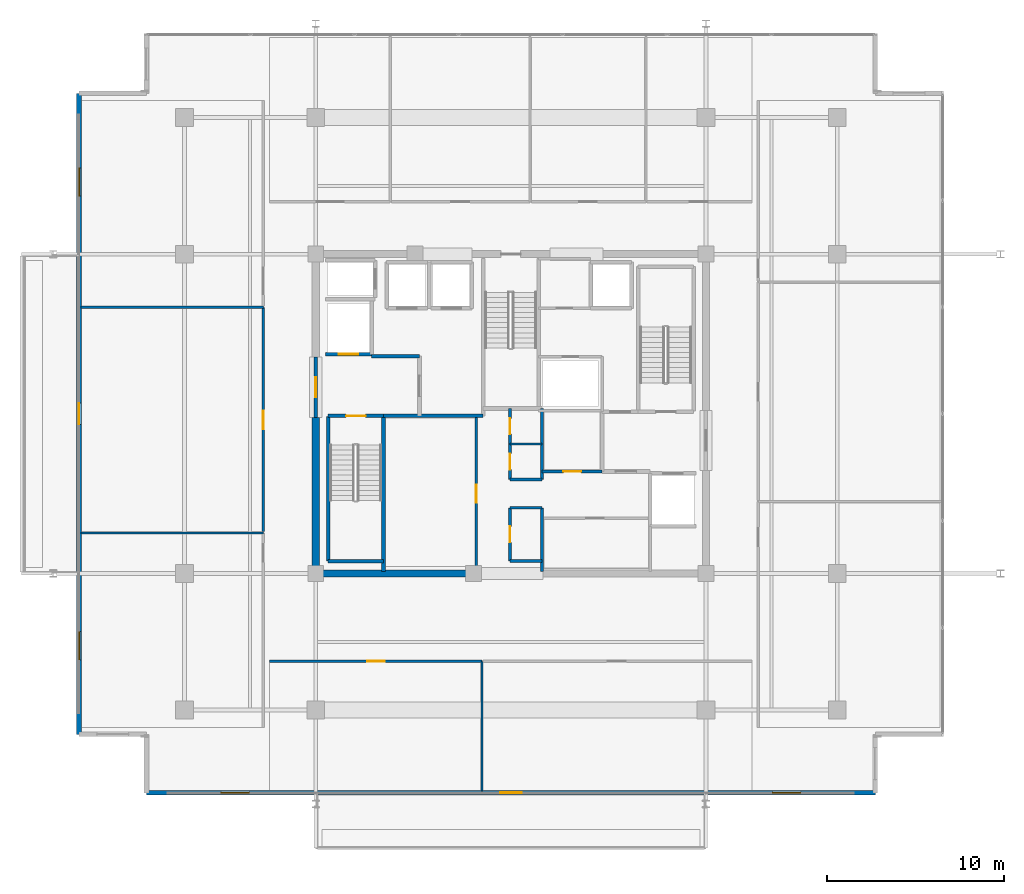
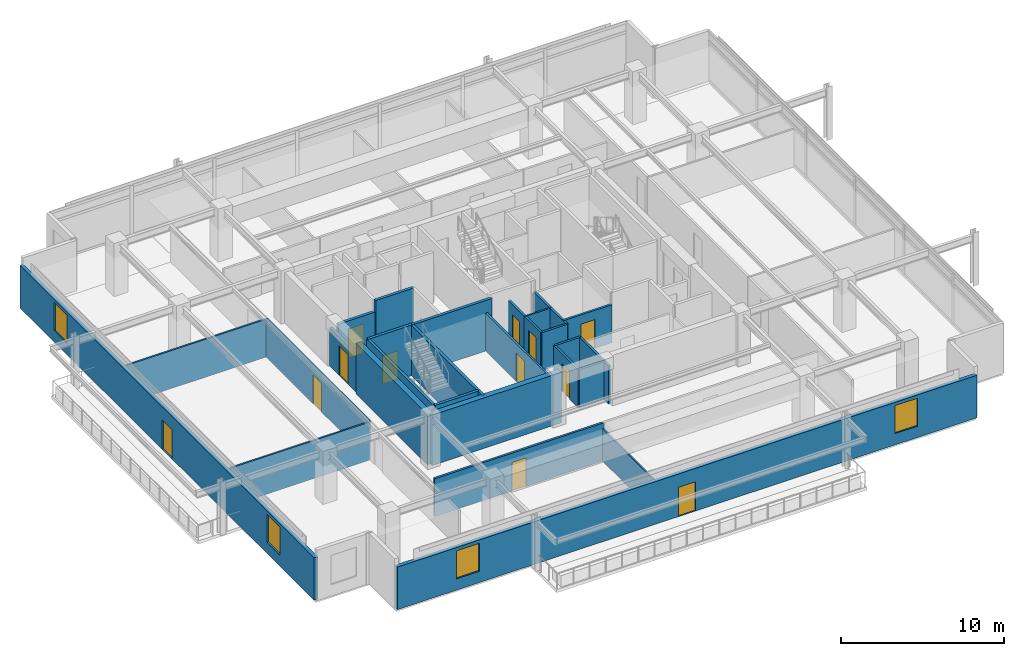
# One storey, part 14 of 21: 28 walls, 12 doors, 4 windows, 16 openings.
"""IFC4 building model written with IfcOpenShell, lengths in metres."""

from ifc_helpers import new_model, si_unit, direction, frame, frame_2d, origin, place, context, subcontext, project, spatial, rectangle, extrude, material, layer, layer_set, type_object, element, fill, save


model = new_model("IFC4")

# Units and contexts
model_context = context("Model", 3, precision=1e-05, world=origin(), true_north=direction((0.0, 1.0)))
body_context = subcontext(model_context, "Body", "Model", "MODEL_VIEW")
ifc_project = project(units=[si_unit("LENGTHUNIT", "METRE"), si_unit("AREAUNIT", "SQUARE_METRE"), si_unit("VOLUMEUNIT", "CUBIC_METRE"), si_unit("PLANEANGLEUNIT", "RADIAN"), si_unit("MASSUNIT", "GRAM", prefix="KILO")], contexts=[model_context])

# Site, building, storey
site_placement = place(None, origin())
site = spatial("IfcSite", under=ifc_project, at=site_placement, CompositionType="ELEMENT")
building_placement = place(site_placement, origin())
building = spatial("IfcBuilding", under=site, at=building_placement, Name="Kovane Verandah Tower", CompositionType="ELEMENT")
storey_placement = place(building_placement, frame((0.0, 0.0, 310.800048828125)))
storey = spatial("IfcBuildingStorey", under=building, at=storey_placement, Name="L72", CompositionType="ELEMENT", Elevation=310.800048828125)

# Walls
ifc_material_1 = material(Name="Fire-Rated Gypsum Stud Partition", Category="gypsum")
ifc_layer_1 = layer(ifc_material_1, 0.14990234375)
ifc_layer_set_1 = layer_set([ifc_layer_1], Name="Fire-Rated Gypsum Stud Partition")
wall_type_1 = type_object("IfcWallType", Name="WL-COR-150", PredefinedType="PARTITIONING", material=ifc_layer_set_1)
for number, where, z_axis, x_axis, name in (
    (1, (39.949951171875, 19.199951171875, 0.0), (0.0, 0.0, 1.0), (1.0, 0.0, 0.0), "L72 Central Core Strip South Wall"),
    (2, (39.949951171875, 22.199951171875, 0.0), (0.0, 0.0, 1.0), (1.0, 0.0, 0.0), "L72 Core Cross-Passage South Wall"),
    (3, (39.949951171875, 23.800048828125, 0.0), (0.0, 0.0, 1.0), (1.0, 0.0, 0.0), "L72 Core Cross-Passage North Wall"),
):
    element("IfcWall", number, at=place(storey_placement, frame(where, z_axis=z_axis, x_axis=x_axis)), inside=storey, type_object=wall_type_1, Name=name, PredefinedType="PARTITIONING", context=body_context, shape_type="SweptSolid", body=[
        extrude(rectangle(XDim=1.81005859375, YDim=0.14990234375, at=frame_2d((0.905029296875, 0.0))), origin(), (0.0, 0.0, 1.0), 2.849853515625),
    ])
wall_1_placement = place(storey_placement, frame((41.760009765625, 18.60009765625, 0.0), z_axis=(0.0, 0.0, 1.0), x_axis=(0.0, 1.0, 0.0)))
element("IfcWall", 4, at=wall_1_placement, inside=storey, type_object=wall_type_1, Name="L72 Central Core Strip Lower East Wall", PredefinedType="PARTITIONING", context=body_context, shape_type="SweptSolid", body=[
    extrude(rectangle(XDim=3.599853515625, YDim=0.14990234375, at=frame_2d((1.7998046875, 0.0))), origin(), (0.0, 0.0, 1.0), 2.849853515625),
])
wall_2_placement = place(storey_placement, frame((41.760009765625, 23.800048828125, 0.0), z_axis=(0.0, 0.0, 1.0), x_axis=(0.0, 1.0, 0.0)))
element("IfcWall", 5, at=wall_2_placement, inside=storey, type_object=wall_type_1, Name="L72 Central Core Strip Upper East Wall", PredefinedType="PARTITIONING", context=body_context, shape_type="SweptSolid", body=[
    extrude(rectangle(XDim=4.0, YDim=0.14990234375, at=frame_2d((2.0, 0.0))), origin(), (0.0, 0.0, 1.0), 2.849853515625),
])

# Wall, opening, door
wall_3_placement = place(storey_placement, frame((39.949951171875, 19.199951171875, 0.0), z_axis=(0.0, 0.0, 1.0), x_axis=(0.0, 1.0, 0.0)))
wall_3 = element("IfcWall", 6, at=wall_3_placement, inside=storey, type_object=wall_type_1, Name="L72 Male Toilet Partition", PredefinedType="PARTITIONING", context=body_context, shape_type="SweptSolid", body=[
    extrude(rectangle(XDim=3.0, YDim=0.14990234375, at=frame_2d((1.5, 0.0))), origin(), (0.0, 0.0, 1.0), 2.849853515625),
])
opening_1_placement = place(wall_3_placement, frame((1.050048828125, 0.0, 0.0)))
opening_1 = element("IfcOpeningElement", 7, at=opening_1_placement, cuts=wall_3, Name="Opening DR-L72-027", PredefinedType="OPENING", context=body_context, shape_type="SweptSolid", body=[
    extrude(rectangle(XDim=0.89990234375, YDim=2.10009765625, at=frame_2d((0.449951171875, 1.050048828125))), frame((0.0, 0.074951171875, 0.0), z_axis=(0.0, -1.0, 0.0), x_axis=(1.0, 0.0, 0.0)), (0.0, 0.0, 1.0), 0.14990234375),
])
ifc_material_2 = material(Name="Moisture-Resistant Laminate Washroom Door", Category="wood")
door_type_1 = type_object("IfcDoorType", Name="DR-WC-900", OperationType="SINGLE_SWING_LEFT", PredefinedType="DOOR", material=ifc_material_2)
door_1_placement = place(opening_1_placement, origin())
door_1 = element("IfcDoor", 8, at=door_1_placement, inside=storey, type_object=door_type_1, Name="L72 Male Toilet Door", OperationType="SINGLE_SWING_RIGHT", OverallHeight=2.10009765625, OverallWidth=0.89990234375, PredefinedType="DOOR", context=body_context, shape_type="SweptSolid", body=[
    extrude(rectangle(XDim=0.89990234375, YDim=2.10009765625, at=frame_2d((0.449951171875, 1.050048828125))), frame((0.0, 0.02490234375, 0.0), z_axis=(0.0, -1.0, 0.0), x_axis=(1.0, 0.0, 0.0)), (0.0, 0.0, 1.0), 0.050048828125),
])
fill(opening_1, door_1)

wall_4_placement = place(storey_placement, frame((39.949951171875, 23.800048828125, 0.0), z_axis=(0.0, 0.0, 1.0), x_axis=(0.0, 1.0, 0.0)))
wall_4 = element("IfcWall", 9, at=wall_4_placement, inside=storey, type_object=wall_type_1, Name="L72 Female Toilet Partition", PredefinedType="PARTITIONING", context=body_context, shape_type="SweptSolid", body=[
    extrude(rectangle(XDim=2.0, YDim=0.14990234375, at=frame_2d((1.0, 0.0))), origin(), (0.0, 0.0, 1.0), 2.849853515625),
])
opening_2_placement = place(wall_4_placement, frame((0.550048828125, 0.0, 0.0)))
opening_2 = element("IfcOpeningElement", 10, at=opening_2_placement, cuts=wall_4, Name="Opening DR-L72-026", PredefinedType="OPENING", context=body_context, shape_type="SweptSolid", body=[
    extrude(rectangle(XDim=0.89990234375, YDim=2.10009765625, at=frame_2d((0.449951171875, 1.050048828125))), frame((0.0, 0.074951171875, 0.0), z_axis=(0.0, -1.0, 0.0), x_axis=(1.0, 0.0, 0.0)), (0.0, 0.0, 1.0), 0.14990234375),
])
door_2_placement = place(opening_2_placement, origin())
door_2 = element("IfcDoor", 11, at=door_2_placement, inside=storey, type_object=door_type_1, Name="L72 Female Toilet Door", OperationType="SINGLE_SWING_LEFT", OverallHeight=2.10009765625, OverallWidth=0.89990234375, PredefinedType="DOOR", context=body_context, shape_type="SweptSolid", body=[
    extrude(rectangle(XDim=0.89990234375, YDim=2.10009765625, at=frame_2d((0.449951171875, 1.050048828125))), frame((0.0, 0.02490234375, 0.0), z_axis=(0.0, -1.0, 0.0), x_axis=(1.0, 0.0, 0.0)), (0.0, 0.0, 1.0), 0.050048828125),
])
fill(opening_2, door_2)

wall_5_placement = place(storey_placement, frame((39.949951171875, 25.800048828125, 0.0), z_axis=(0.0, 0.0, 1.0), x_axis=(0.0, 1.0, 0.0)))
wall_5 = element("IfcWall", 12, at=wall_5_placement, inside=storey, type_object=wall_type_1, Name="L72 Accessible Unisex Toilet Partition", PredefinedType="PARTITIONING", context=body_context, shape_type="SweptSolid", body=[
    extrude(rectangle(XDim=2.0, YDim=0.14990234375, at=frame_2d((1.0, 0.0))), origin(), (0.0, 0.0, 1.0), 2.849853515625),
])
opening_3_placement = place(wall_5_placement, frame((0.550048828125, 0.0, 0.0)))
opening_3 = element("IfcOpeningElement", 13, at=opening_3_placement, cuts=wall_5, Name="Opening DR-L72-025", PredefinedType="OPENING", context=body_context, shape_type="SweptSolid", body=[
    extrude(rectangle(XDim=0.89990234375, YDim=2.10009765625, at=frame_2d((0.449951171875, 1.050048828125))), frame((0.0, 0.074951171875, 0.0), z_axis=(0.0, -1.0, 0.0), x_axis=(1.0, 0.0, 0.0)), (0.0, 0.0, 1.0), 0.14990234375),
])
door_3_placement = place(opening_3_placement, origin())
door_3 = element("IfcDoor", 14, at=door_3_placement, inside=storey, type_object=door_type_1, Name="L72 Accessible Unisex Toilet Door", OperationType="SINGLE_SWING_RIGHT", OverallHeight=2.10009765625, OverallWidth=0.89990234375, PredefinedType="DOOR", context=body_context, shape_type="SweptSolid", body=[
    extrude(rectangle(XDim=0.89990234375, YDim=2.10009765625, at=frame_2d((0.449951171875, 1.050048828125))), frame((0.0, 0.02490234375, 0.0), z_axis=(0.0, -1.0, 0.0), x_axis=(1.0, 0.0, 0.0)), (0.0, 0.0, 1.0), 0.050048828125),
])
fill(opening_3, door_3)

wall_6_placement = place(storey_placement, frame((38.050048828125, 18.60009765625, 0.0), z_axis=(0.0, 0.0, 1.0), x_axis=(0.0, 1.0, 0.0)))
wall_6 = element("IfcWall", 15, at=wall_6_placement, inside=storey, type_object=wall_type_1, Name="L72 Tenant Wellness and Archive Suite Partition", PredefinedType="PARTITIONING", context=body_context, shape_type="SweptSolid", body=[
    extrude(rectangle(XDim=8.77978515625, YDim=0.14990234375, at=frame_2d((4.389892578125, 0.0))), origin(), (0.0, 0.0, 1.0), 2.849853515625),
])
opening_4_placement = place(wall_6_placement, frame((3.889892578125, 0.0, 0.0)))
opening_4 = element("IfcOpeningElement", 16, at=opening_4_placement, cuts=wall_6, Name="Opening DR-L72-014", PredefinedType="OPENING", context=body_context, shape_type="SweptSolid", body=[
    extrude(rectangle(XDim=1.0, YDim=2.14990234375, at=frame_2d((0.5, 1.074951171875))), frame((0.0, 0.074951171875, 0.0), z_axis=(0.0, -1.0, 0.0), x_axis=(1.0, 0.0, 0.0)), (0.0, 0.0, 1.0), 0.14990234375),
])
ifc_material_3 = material(Name="FSC Spotted-Gum Timber Fire-Rated Office Door", Category="wood")
door_type_2 = type_object("IfcDoorType", Name="DR-OFF-1000", OperationType="SINGLE_SWING_LEFT", PredefinedType="DOOR", material=ifc_material_3)
door_4_placement = place(opening_4_placement, origin())
door_4 = element("IfcDoor", 17, at=door_4_placement, inside=storey, type_object=door_type_2, Name="L72 Tenant Wellness and Archive Suite Door", OperationType="SINGLE_SWING_LEFT", OverallHeight=2.14990234375, OverallWidth=1.0, PredefinedType="DOOR", context=body_context, shape_type="SweptSolid", body=[
    extrude(rectangle(XDim=1.0, YDim=2.14990234375, at=frame_2d((0.5, 1.074951171875))), frame((0.0, 0.02490234375, 0.0), z_axis=(0.0, -1.0, 0.0), x_axis=(1.0, 0.0, 0.0)), (0.0, 0.0, 1.0), 0.050048828125),
])
fill(opening_4, door_4)

wall_7_placement = place(storey_placement, frame((41.760009765625, 24.25, 0.0), z_axis=(0.0, 0.0, 1.0), x_axis=(1.0, 0.0, 0.0)))
wall_7 = element("IfcWall", 18, at=wall_7_placement, inside=storey, type_object=wall_type_1, Name="L72 Document Archive Room Partition", PredefinedType="PARTITIONING", context=body_context, shape_type="SweptSolid", body=[
    extrude(rectangle(XDim=3.389892578125, YDim=0.14990234375, at=frame_2d((1.69482421875, 0.0))), origin(), (0.0, 0.0, 1.0), 2.849853515625),
])
opening_5_placement = place(wall_7_placement, frame((1.195068359375, 0.0, 0.0)))
opening_5 = element("IfcOpeningElement", 19, at=opening_5_placement, cuts=wall_7, Name="Opening DR-L72-016", PredefinedType="OPENING", context=body_context, shape_type="SweptSolid", body=[
    extrude(rectangle(XDim=1.0, YDim=2.14990234375, at=frame_2d((0.5, 1.074951171875))), frame((0.0, 0.074951171875, 0.0), z_axis=(0.0, -1.0, 0.0), x_axis=(1.0, 0.0, 0.0)), (0.0, 0.0, 1.0), 0.14990234375),
])
door_5_placement = place(opening_5_placement, origin())
door_5 = element("IfcDoor", 20, at=door_5_placement, inside=storey, type_object=door_type_2, Name="L72 Document Archive Room Door", OperationType="SINGLE_SWING_LEFT", OverallHeight=2.14990234375, OverallWidth=1.0, PredefinedType="DOOR", context=body_context, shape_type="SweptSolid", body=[
    extrude(rectangle(XDim=1.0, YDim=2.14990234375, at=frame_2d((0.5, 1.074951171875))), frame((0.0, 0.02490234375, 0.0), z_axis=(0.0, -1.0, 0.0), x_axis=(1.0, 0.0, 0.0)), (0.0, 0.0, 1.0), 0.050048828125),
])
fill(opening_5, door_5)

wall_8_placement = place(storey_placement, frame((26.39990234375, 13.550048828125, 0.0), z_axis=(0.0, 0.0, 1.0), x_axis=(1.0, 0.0, 0.0)))
wall_8 = element("IfcWall", 21, at=wall_8_placement, inside=storey, type_object=wall_type_1, Name="L72 Collaboration Hub S1 Corridor Partition", PredefinedType="PARTITIONING", context=body_context, shape_type="SweptSolid", body=[
    extrude(rectangle(XDim=11.968017578125, YDim=0.14990234375, at=frame_2d((5.98388671875, 0.0))), origin(), (0.0, 0.0, 1.0), 2.849853515625),
])
opening_6_placement = place(wall_8_placement, frame((5.4990234375, 0.0, 0.0)))
opening_6 = element("IfcOpeningElement", 22, at=opening_6_placement, cuts=wall_8, Name="Opening DR-L72-023", PredefinedType="OPENING", context=body_context, shape_type="SweptSolid", body=[
    extrude(rectangle(XDim=1.0, YDim=2.14990234375, at=frame_2d((0.5, 1.074951171875))), frame((0.0, 0.074951171875, 0.0), z_axis=(0.0, -1.0, 0.0), x_axis=(1.0, 0.0, 0.0)), (0.0, 0.0, 1.0), 0.14990234375),
])
door_6_placement = place(opening_6_placement, origin())
door_6 = element("IfcDoor", 23, at=door_6_placement, inside=storey, type_object=door_type_2, Name="L72 Collaboration Hub S1 Entrance Door", OperationType="SINGLE_SWING_RIGHT", OverallHeight=2.14990234375, OverallWidth=1.0, PredefinedType="DOOR", context=body_context, shape_type="SweptSolid", body=[
    extrude(rectangle(XDim=1.0, YDim=2.14990234375, at=frame_2d((0.5, 1.074951171875))), frame((0.0, 0.02490234375, 0.0), z_axis=(0.0, -1.0, 0.0), x_axis=(1.0, 0.0, 0.0)), (0.0, 0.0, 1.0), 0.050048828125),
])
fill(opening_6, door_6)

wall_9_placement = place(storey_placement, frame((26.050048828125, 20.8544921875, 0.0), z_axis=(0.0, 0.0, 1.0), x_axis=(0.0, 1.0, 0.0)))
wall_9 = element("IfcWall", 24, at=wall_9_placement, inside=storey, type_object=wall_type_1, Name="L72 Executive Office W2 Corridor Partition", PredefinedType="PARTITIONING", context=body_context, shape_type="SweptSolid", body=[
    extrude(rectangle(XDim=12.654052734375, YDim=0.14990234375, at=frame_2d((6.3271484375, 0.0))), origin(), (0.0, 0.0, 1.0), 2.849853515625),
])
opening_7_placement = place(wall_9_placement, frame((5.766845703125, 0.0, 0.0)))
opening_7 = element("IfcOpeningElement", 25, at=opening_7_placement, cuts=wall_9, Name="Opening DR-L72-029", PredefinedType="OPENING", context=body_context, shape_type="SweptSolid", body=[
    extrude(rectangle(XDim=1.050048828125, YDim=2.199951171875, at=frame_2d((0.52490234375, 1.10009765625))), frame((0.0, 0.074951171875, 0.0), z_axis=(0.0, -1.0, 0.0), x_axis=(1.0, 0.0, 0.0)), (0.0, 0.0, 1.0), 0.14990234375),
])
ifc_material_4 = material(Name="FSC Blackbutt Timber Fire-Rated Executive Door", Category="wood")
door_type_3 = type_object("IfcDoorType", Name="DR-EXEC-1050", OperationType="SINGLE_SWING_LEFT", PredefinedType="DOOR", material=ifc_material_4)
door_7_placement = place(opening_7_placement, origin())
door_7 = element("IfcDoor", 26, at=door_7_placement, inside=storey, type_object=door_type_3, Name="L72 Executive Office W2 Entrance Door", OperationType="SINGLE_SWING_LEFT", OverallHeight=2.199951171875, OverallWidth=1.050048828125, PredefinedType="DOOR", context=body_context, shape_type="SweptSolid", body=[
    extrude(rectangle(XDim=1.050048828125, YDim=2.199951171875, at=frame_2d((0.52490234375, 1.10009765625))), frame((0.0, 0.02490234375, 0.0), z_axis=(0.0, -1.0, 0.0), x_axis=(1.0, 0.0, 0.0)), (0.0, 0.0, 1.0), 0.050048828125),
])
fill(opening_7, door_7)

# Walls
ifc_material_5 = material(Name="Concrete C60/75", Category="concrete")
ifc_layer_2 = layer(ifc_material_5, 0.39990234375)
ifc_layer_set_2 = layer_set([ifc_layer_2], Name="Concrete C60/75")
wall_type_2 = type_object("IfcWallType", Name="WL-CORE-400", PredefinedType="SHEAR", material=ifc_layer_set_2)
wall_10_placement = place(storey_placement, frame((29.0, 18.5, 0.0), z_axis=(0.0, 0.0, 1.0), x_axis=(1.0, 0.0, 0.0)))
element("IfcWall", 27, at=wall_10_placement, inside=storey, type_object=wall_type_2, Name="L72 Core Shear Wall CS-1", PredefinedType="SHEAR", context=body_context, shape_type="SweptSolid", body=[
    extrude(rectangle(XDim=9.199951171875, YDim=0.39990234375, at=frame_2d((4.60009765625, 0.0))), origin(), (0.0, 0.0, 1.0), 3.784912109375),
])
wall_11_placement = place(storey_placement, frame((29.0, 18.5, 0.0), z_axis=(0.0, 0.0, 1.0), x_axis=(0.0, 1.0, 0.0)))
element("IfcWall", 28, at=wall_11_placement, inside=storey, type_object=wall_type_2, Name="L72 Core Shear Wall CW-1", PredefinedType="SHEAR", context=body_context, shape_type="SweptSolid", body=[
    extrude(rectangle(XDim=8.800048828125, YDim=0.39990234375, at=frame_2d((4.39990234375, 0.0))), origin(), (0.0, 0.0, 1.0), 3.784912109375),
])

# Wall, opening, door
ifc_material_6 = material(Name="Concrete C45/55 Fire Wall", Category="concrete")
ifc_layer_3 = layer(ifc_material_6, 0.199951171875)
ifc_layer_set_3 = layer_set([ifc_layer_3], Name="Concrete C45/55 Fire Wall")
wall_type_3 = type_object("IfcWallType", Name="WL-FFL-200", PredefinedType="PARTITIONING", material=ifc_layer_set_3)
wall_12_placement = place(storey_placement, frame((29.0, 27.300048828125, 0.0), z_axis=(0.0, 0.0, 1.0), x_axis=(0.0, 1.0, 0.0)))
wall_12 = element("IfcWall", 29, at=wall_12_placement, inside=storey, type_object=wall_type_3, Name="W-L72-FFLW-OUT", PredefinedType="PARTITIONING", context=body_context, shape_type="SweptSolid", body=[
    extrude(rectangle(XDim=3.39990234375, YDim=0.199951171875, at=frame_2d((1.699951171875, 0.0))), origin(), (0.0, 0.0, 1.0), 2.864990234375),
])
opening_8_placement = place(wall_12_placement, frame((1.125, 0.0, 0.0)))
opening_8 = element("IfcOpeningElement", 30, at=opening_8_placement, cuts=wall_12, Name="Opening DR-L72-007", PredefinedType="OPENING", context=body_context, shape_type="SweptSolid", body=[
    extrude(rectangle(XDim=1.14990234375, YDim=2.199951171875, at=frame_2d((0.574951171875, 1.10009765625))), frame((0.0, 0.10009765625, 0.0), z_axis=(0.0, -1.0, 0.0), x_axis=(1.0, 0.0, 0.0)), (0.0, 0.0, 1.0), 0.199951171875),
])
ifc_material_7 = material(Name="Smoke-Sealed Firefighting Lobby Door", Category="steel")
door_type_4 = type_object("IfcDoorType", Name="DR-FFL-1150", OperationType="SINGLE_SWING_LEFT", PredefinedType="DOOR", material=ifc_material_7)
door_8_placement = place(opening_8_placement, origin())
door_8 = element("IfcDoor", 31, at=door_8_placement, inside=storey, type_object=door_type_4, Name="L72 West Firefighting Lobby Corridor Door", OperationType="SINGLE_SWING_RIGHT", OverallHeight=2.199951171875, OverallWidth=1.14990234375, PredefinedType="DOOR", context=body_context, shape_type="SweptSolid", body=[
    extrude(rectangle(XDim=1.14990234375, YDim=2.199951171875, at=frame_2d((0.574951171875, 1.10009765625))), frame((0.0, 0.02490234375, 0.0), z_axis=(0.0, -1.0, 0.0), x_axis=(1.0, 0.0, 0.0)), (0.0, 0.0, 1.0), 0.050048828125),
])
fill(opening_8, door_8)

# Walls
wall_13_placement = place(storey_placement, frame((32.820068359375, 27.3798828125, 0.0), z_axis=(0.0, 0.0, 1.0), x_axis=(1.0, 0.0, 0.0)))
element("IfcWall", 32, at=wall_13_placement, inside=storey, type_object=wall_type_3, Name="L72 West Firefighting Lobby South Fire Wall", PredefinedType="PARTITIONING", context=body_context, shape_type="SweptSolid", body=[
    extrude(rectangle(XDim=5.619873046875, YDim=0.199951171875, at=frame_2d((2.81005859375, 0.0))), origin(), (0.0, 0.0, 1.0), 3.784912109375),
])
wall_14_placement = place(storey_placement, frame((32.14990234375, 30.75, 0.0), z_axis=(0.0, 0.0, 1.0), x_axis=(1.0, 0.0, 0.0)))
element("IfcWall", 33, at=wall_14_placement, inside=storey, type_object=wall_type_3, Name="L72 West Firefighting Lobby North Fire Wall", PredefinedType="PARTITIONING", context=body_context, shape_type="SweptSolid", body=[
    extrude(rectangle(XDim=2.7001953125, YDim=0.199951171875, at=frame_2d((1.35009765625, 0.0))), origin(), (0.0, 0.0, 1.0), 3.784912109375),
])

# Wall, opening, door
ifc_material_8 = material(Name="Concrete C45/55 Lift Shaft Wall", Category="concrete")
ifc_layer_4 = layer(ifc_material_8, 0.199951171875)
ifc_layer_set_4 = layer_set([ifc_layer_4], Name="Concrete C45/55 Lift Shaft Wall")
wall_type_4 = type_object("IfcWallType", Name="WL-LIFT-200", PredefinedType="SOLIDWALL", material=ifc_layer_set_4)
wall_15_placement = place(storey_placement, frame((29.550048828125, 30.85009765625, 0.0), z_axis=(0.0, 0.0, 1.0), x_axis=(1.0, 0.0, 0.0)))
wall_15 = element("IfcWall", 34, at=wall_15_placement, inside=storey, type_object=wall_type_4, Name="L72 Lift FL-01 S Shaft Wall", PredefinedType="SOLIDWALL", context=body_context, shape_type="SweptSolid", body=[
    extrude(rectangle(XDim=2.599853515625, YDim=0.199951171875, at=frame_2d((1.2998046875, 0.0))), origin(), (0.0, 0.0, 1.0), 2.864990234375),
])
opening_9_placement = place(wall_15_placement, frame((0.75, 0.0, 0.0)))
opening_9 = element("IfcOpeningElement", 35, at=opening_9_placement, cuts=wall_15, Name="Opening LD-L72-001", PredefinedType="OPENING", context=body_context, shape_type="SweptSolid", body=[
    extrude(rectangle(XDim=1.10009765625, YDim=2.199951171875, at=frame_2d((0.550048828125, 1.10009765625))), frame((0.0, 0.10009765625, 0.0), z_axis=(0.0, -1.0, 0.0), x_axis=(1.0, 0.0, 0.0)), (0.0, 0.0, 1.0), 0.199951171875),
])
ifc_material_9 = material(Name="Brushed Stainless Steel Sliding Lift Landing Door", Category="steel")
door_type_5 = type_object("IfcDoorType", Name="DR-LIFT-1100", OperationType="SLIDING_TO_RIGHT", PredefinedType="DOOR", material=ifc_material_9)
door_9_placement = place(opening_9_placement, origin())
door_9 = element("IfcDoor", 36, at=door_9_placement, inside=storey, type_object=door_type_5, Name="L72 Lift FL-01 Sliding Landing Door", OperationType="SLIDING_TO_RIGHT", OverallHeight=2.199951171875, OverallWidth=1.10009765625, PredefinedType="DOOR", context=body_context, shape_type="SweptSolid", body=[
    extrude(rectangle(XDim=1.10009765625, YDim=2.199951171875, at=frame_2d((0.550048828125, 1.10009765625))), frame((0.0, 0.02490234375, 0.0), z_axis=(0.0, -1.0, 0.0), x_axis=(1.0, 0.0, 0.0)), (0.0, 0.0, 1.0), 0.050048828125),
])
fill(opening_9, door_9)

# Walls
ifc_material_10 = material(Name="Acoustic Fire-Rated Gypsum Partition", Category="gypsum")
ifc_layer_5 = layer(ifc_material_10, 0.1201171875)
ifc_layer_set_5 = layer_set([ifc_layer_5], Name="Acoustic Fire-Rated Gypsum Partition")
wall_type_5 = type_object("IfcWallType", Name="WL-PART-120", PredefinedType="PARTITIONING", material=ifc_layer_set_5)
wall_16_placement = place(storey_placement, frame((39.949951171875, 25.800048828125, 0.0), z_axis=(0.0, 0.0, 1.0), x_axis=(1.0, 0.0, 0.0)))
element("IfcWall", 37, at=wall_16_placement, inside=storey, type_object=wall_type_5, Name="L72 Central Core Strip Upper Dividing Partition", PredefinedType="PARTITIONING", context=body_context, shape_type="SweptSolid", body=[
    extrude(rectangle(XDim=1.81005859375, YDim=0.1201171875, at=frame_2d((0.905029296875, 0.0))), origin(), (0.0, 0.0, 1.0), 2.849853515625),
])
wall_17_placement = place(storey_placement, frame((38.367919921875, 6.227783203125, 0.0), z_axis=(0.0, 0.0, 1.0), x_axis=(0.0, 1.0, 0.0)))
element("IfcWall", 38, at=wall_17_placement, inside=storey, type_object=wall_type_5, Name="L72 Collaboration Hub S1 Dividing Partition", PredefinedType="PARTITIONING", context=body_context, shape_type="SweptSolid", body=[
    extrude(rectangle(XDim=7.322265625, YDim=0.1201171875, at=frame_2d((3.6611328125, 0.0))), origin(), (0.0, 0.0, 1.0), 2.4150390625),
])
for number, where, z_axis, x_axis, name in (
    (39, (15.755615234375, 20.78466796875, 0.0), (0.0, 0.0, 1.0), (1.0, 0.0, 0.0), "L72 Open Plan Office W1 Dividing Partition"),
    (40, (15.755615234375, 33.508544921875, 0.0), (0.0, 0.0, 1.0), (1.0, 0.0, 0.0), "L72 Executive Office W2 Dividing Partition"),
):
    element("IfcWall", number, at=place(storey_placement, frame(where, z_axis=z_axis, x_axis=x_axis)), inside=storey, type_object=wall_type_5, Name=name, PredefinedType="PARTITIONING", context=body_context, shape_type="SweptSolid", body=[
        extrude(rectangle(XDim=10.29443359375, YDim=0.1201171875, at=frame_2d((5.147216796875, 0.0))), origin(), (0.0, 0.0, 1.0), 2.849853515625),
    ])
ifc_material_11 = material(Name="Concrete C45/55", Category="concrete")
ifc_layer_6 = layer(ifc_material_11, 0.199951171875)
ifc_layer_set_6 = layer_set([ifc_layer_6], Name="Concrete C45/55")
wall_type_6 = type_object("IfcWallType", Name="WL-SHAFT-200", PredefinedType="SOLIDWALL", material=ifc_layer_set_6)
wall_18_placement = place(storey_placement, frame((29.699951171875, 19.199951171875, 0.0), z_axis=(0.0, 0.0, 1.0), x_axis=(0.0, 1.0, 0.0)))
element("IfcWall", 41, at=wall_18_placement, inside=storey, type_object=wall_type_6, Name="W-L72-ST01-W", PredefinedType="SOLIDWALL", context=body_context, shape_type="SweptSolid", body=[
    extrude(rectangle(XDim=8.150146484375, YDim=0.199951171875, at=frame_2d((4.0751953125, 0.0))), origin(), (0.0, 0.0, 1.0), 3.784912109375),
])
wall_19_placement = place(storey_placement, frame((29.699951171875, 19.199951171875, 0.0), z_axis=(0.0, 0.0, 1.0), x_axis=(1.0, 0.0, 0.0)))
element("IfcWall", 42, at=wall_19_placement, inside=storey, type_object=wall_type_6, Name="W-L72-ST01-S", PredefinedType="SOLIDWALL", context=body_context, shape_type="SweptSolid", body=[
    extrude(rectangle(XDim=3.1201171875, YDim=0.199951171875, at=frame_2d((1.56005859375, 0.0))), origin(), (0.0, 0.0, 1.0), 3.784912109375),
])
wall_20_placement = place(storey_placement, frame((32.820068359375, 18.60009765625, 0.0), z_axis=(0.0, 0.0, 1.0), x_axis=(0.0, 1.0, 0.0)))
element("IfcWall", 43, at=wall_20_placement, inside=storey, type_object=wall_type_6, Name="W-L72-ST01-E", PredefinedType="SOLIDWALL", context=body_context, shape_type="SweptSolid", body=[
    extrude(rectangle(XDim=8.77978515625, YDim=0.199951171875, at=frame_2d((4.389892578125, 0.0))), origin(), (0.0, 0.0, 1.0), 3.784912109375),
])

# Wall, opening, door
wall_21_placement = place(storey_placement, frame((29.699951171875, 27.3798828125, 0.0), z_axis=(0.0, 0.0, 1.0), x_axis=(1.0, 0.0, 0.0)))
wall_21 = element("IfcWall", 44, at=wall_21_placement, inside=storey, type_object=wall_type_6, Name="W-L72-ST01-N", PredefinedType="SOLIDWALL", context=body_context, shape_type="SweptSolid", body=[
    extrude(rectangle(XDim=3.1201171875, YDim=0.199951171875, at=frame_2d((1.56005859375, 0.0))), origin(), (0.0, 0.0, 1.0), 3.784912109375),
])
opening_10_placement = place(wall_21_placement, frame((1.010009765625, 0.0, 0.0)))
opening_10 = element("IfcOpeningElement", 45, at=opening_10_placement, cuts=wall_21, Name="Opening DR-L72-008", PredefinedType="OPENING", context=body_context, shape_type="SweptSolid", body=[
    extrude(rectangle(XDim=1.10009765625, YDim=2.14990234375, at=frame_2d((0.550048828125, 1.074951171875))), frame((0.0, 0.10009765625, 0.0), z_axis=(0.0, -1.0, 0.0), x_axis=(1.0, 0.0, 0.0)), (0.0, 0.0, 1.0), 0.199951171875),
])
ifc_material_12 = material(Name="Fire-Rated Steel Exit Door", Category="steel")
door_type_6 = type_object("IfcDoorType", Name="DR-STAIR-1100", OperationType="SINGLE_SWING_LEFT", PredefinedType="DOOR", material=ifc_material_12)
door_10_placement = place(opening_10_placement, origin())
door_10 = element("IfcDoor", 46, at=door_10_placement, inside=storey, type_object=door_type_6, Name="L72 ST-01 Fire Exit Stair Door", OperationType="SINGLE_SWING_LEFT", OverallHeight=2.14990234375, OverallWidth=1.10009765625, PredefinedType="DOOR", context=body_context, shape_type="SweptSolid", body=[
    extrude(rectangle(XDim=1.10009765625, YDim=2.14990234375, at=frame_2d((0.550048828125, 1.074951171875))), frame((0.0, 0.02490234375, 0.0), z_axis=(0.0, -1.0, 0.0), x_axis=(1.0, 0.0, 0.0)), (0.0, 0.0, 1.0), 0.050048828125),
])
fill(opening_10, door_10)

# Wall, openings, door, windows
ifc_material_13 = material(Name="Concrete C45/55 Insulated Spandrel Wall", Category="concrete")
ifc_layer_7 = layer(ifc_material_13, 0.260009765625)
ifc_layer_set_7 = layer_set([ifc_layer_7], Name="Concrete C45/55 Insulated Spandrel Wall")
wall_type_7 = type_object("IfcWallType", Name="WL-SPANDREL-260", PredefinedType="PARAPET", material=ifc_layer_set_7)
wall_22_placement = place(storey_placement, frame((19.45556640625, 6.127685546875, 0.0), z_axis=(0.0, 0.0, 1.0), x_axis=(1.0, 0.0, 0.0)))
wall_22 = element("IfcWall", 47, at=wall_22_placement, inside=storey, type_object=wall_type_7, Name="L72 S Verandah Access Facade Wall", PredefinedType="PARAPET", context=body_context, shape_type="SweptSolid", body=[
    extrude(rectangle(XDim=41.0888671875, YDim=0.260009765625, at=frame_2d((20.54443359375, 0.0))), origin(), (0.0, 0.0, 1.0), 3.195556640625),
])
opening_11_placement = place(wall_22_placement, frame((4.199951171875, 0.0, 0.85009765625)))
opening_11 = element("IfcOpeningElement", 48, at=opening_11_placement, cuts=wall_22, Name="Opening W-02", PredefinedType="OPENING", context=body_context, shape_type="SweptSolid", body=[
    extrude(rectangle(XDim=1.60009765625, YDim=2.10009765625, at=frame_2d((0.800048828125, 1.050048828125))), frame((0.0, 0.1298828125, 0.0), z_axis=(0.0, -1.0, 0.0), x_axis=(1.0, 0.0, 0.0)), (0.0, 0.0, 1.0), 0.260009765625),
])
opening_12_placement = place(wall_22_placement, frame((19.9443359375, 0.0, 0.0)))
opening_12 = element("IfcOpeningElement", 49, at=opening_12_placement, cuts=wall_22, Name="Opening DR-L72-001", PredefinedType="OPENING", context=body_context, shape_type="SweptSolid", body=[
    extrude(rectangle(XDim=1.199951171875, YDim=2.199951171875, at=frame_2d((0.60009765625, 1.10009765625))), frame((0.0, 0.1298828125, 0.0), z_axis=(0.0, -1.0, 0.0), x_axis=(1.0, 0.0, 0.0)), (0.0, 0.0, 1.0), 0.260009765625),
])
opening_13_placement = place(wall_22_placement, frame((35.288818359375, 0.0, 0.85009765625)))
opening_13 = element("IfcOpeningElement", 50, at=opening_13_placement, cuts=wall_22, Name="Opening W-02", PredefinedType="OPENING", context=body_context, shape_type="SweptSolid", body=[
    extrude(rectangle(XDim=1.60009765625, YDim=2.10009765625, at=frame_2d((0.800048828125, 1.050048828125))), frame((0.0, 0.1298828125, 0.0), z_axis=(0.0, -1.0, 0.0), x_axis=(1.0, 0.0, 0.0)), (0.0, 0.0, 1.0), 0.260009765625),
])
ifc_material_14 = material(Name="Cyclone-Rated Glazed Balcony Leaf Door", Category="aluminium")
door_type_7 = type_object("IfcDoorType", Name="DR-BAL-1200x2200", OperationType="SINGLE_SWING_LEFT", PredefinedType="DOOR", material=ifc_material_14)
door_11_placement = place(opening_12_placement, origin())
door_11 = element("IfcDoor", 51, at=door_11_placement, inside=storey, type_object=door_type_7, Name="L72 S Planted Balcony Access Door", OperationType="SINGLE_SWING_LEFT", OverallHeight=2.199951171875, OverallWidth=1.199951171875, PredefinedType="DOOR", context=body_context, shape_type="SweptSolid", body=[
    extrude(rectangle(XDim=1.199951171875, YDim=2.199951171875, at=frame_2d((0.60009765625, 1.10009765625))), frame((0.0, 0.02490234375, 0.0), z_axis=(0.0, -1.0, 0.0), x_axis=(1.0, 0.0, 0.0)), (0.0, 0.0, 1.0), 0.050048828125),
])
fill(opening_12, door_11)
ifc_material_15 = material(Name="Clear Low-E Laminated Double Glazing in Anodised Frame", Category="glass")
window_type = type_object("IfcWindowType", Name="WN-OPER-1600x2100", PartitioningType="SINGLE_PANEL", PredefinedType="WINDOW", material=ifc_material_15)
window_1_placement = place(opening_11_placement, origin())
window_1 = element("IfcWindow", 52, at=window_1_placement, inside=storey, type_object=window_type, Name="L72 S Verandah View Window 1", OverallHeight=2.10009765625, OverallWidth=1.60009765625, PartitioningType="SINGLE_PANEL", PredefinedType="WINDOW", context=body_context, shape_type="SweptSolid", body=[
    extrude(rectangle(XDim=1.60009765625, YDim=2.10009765625, at=frame_2d((0.800048828125, 1.050048828125))), frame((0.0, 0.030029296875, 0.0), z_axis=(0.0, -1.0, 0.0), x_axis=(1.0, 0.0, 0.0)), (0.0, 0.0, 1.0), 0.06005859375),
])
fill(opening_11, window_1)
window_2_placement = place(opening_13_placement, origin())
window_2 = element("IfcWindow", 53, at=window_2_placement, inside=storey, type_object=window_type, Name="L72 S Verandah View Window 2", OverallHeight=2.10009765625, OverallWidth=1.60009765625, PartitioningType="SINGLE_PANEL", PredefinedType="WINDOW", context=body_context, shape_type="SweptSolid", body=[
    extrude(rectangle(XDim=1.60009765625, YDim=2.10009765625, at=frame_2d((0.800048828125, 1.050048828125))), frame((0.0, 0.030029296875, 0.0), z_axis=(0.0, -1.0, 0.0), x_axis=(1.0, 0.0, 0.0)), (0.0, 0.0, 1.0), 0.06005859375),
])
fill(opening_13, window_2)

wall_23_placement = place(storey_placement, frame((15.655517578125, 45.572265625, 0.0), z_axis=(0.0, 0.0, 1.0), x_axis=(0.0, -1.0, 0.0)))
wall_23 = element("IfcWall", 54, at=wall_23_placement, inside=storey, type_object=wall_type_7, Name="L72 W Verandah Access Facade Wall", PredefinedType="PARAPET", context=body_context, shape_type="SweptSolid", body=[
    extrude(rectangle(XDim=36.14453125, YDim=0.260009765625, at=frame_2d((18.072265625, 0.0))), origin(), (0.0, 0.0, 1.0), 3.195556640625),
])
opening_14_placement = place(wall_23_placement, frame((4.199951171875, 0.0, 0.85009765625)))
opening_14 = element("IfcOpeningElement", 55, at=opening_14_placement, cuts=wall_23, Name="Opening W-02", PredefinedType="OPENING", context=body_context, shape_type="SweptSolid", body=[
    extrude(rectangle(XDim=1.60009765625, YDim=2.10009765625, at=frame_2d((0.800048828125, 1.050048828125))), frame((0.0, 0.1298828125, 0.0), z_axis=(0.0, -1.0, 0.0), x_axis=(1.0, 0.0, 0.0)), (0.0, 0.0, 1.0), 0.260009765625),
])
opening_15_placement = place(wall_23_placement, frame((17.47216796875, 0.0, 0.0)))
opening_15 = element("IfcOpeningElement", 56, at=opening_15_placement, cuts=wall_23, Name="Opening DR-L72-002", PredefinedType="OPENING", context=body_context, shape_type="SweptSolid", body=[
    extrude(rectangle(XDim=1.199951171875, YDim=2.199951171875, at=frame_2d((0.60009765625, 1.10009765625))), frame((0.0, 0.1298828125, 0.0), z_axis=(0.0, -1.0, 0.0), x_axis=(1.0, 0.0, 0.0)), (0.0, 0.0, 1.0), 0.260009765625),
])
opening_16_placement = place(wall_23_placement, frame((30.344482421875, 0.0, 0.85009765625)))
opening_16 = element("IfcOpeningElement", 57, at=opening_16_placement, cuts=wall_23, Name="Opening W-02", PredefinedType="OPENING", context=body_context, shape_type="SweptSolid", body=[
    extrude(rectangle(XDim=1.60009765625, YDim=2.10009765625, at=frame_2d((0.800048828125, 1.050048828125))), frame((0.0, 0.1298828125, 0.0), z_axis=(0.0, -1.0, 0.0), x_axis=(1.0, 0.0, 0.0)), (0.0, 0.0, 1.0), 0.260009765625),
])
door_12_placement = place(opening_15_placement, origin())
door_12 = element("IfcDoor", 58, at=door_12_placement, inside=storey, type_object=door_type_7, Name="L72 W Planted Balcony Access Door", OperationType="SINGLE_SWING_LEFT", OverallHeight=2.199951171875, OverallWidth=1.199951171875, PredefinedType="DOOR", context=body_context, shape_type="SweptSolid", body=[
    extrude(rectangle(XDim=1.199951171875, YDim=2.199951171875, at=frame_2d((0.60009765625, 1.10009765625))), frame((0.0, 0.02490234375, 0.0), z_axis=(0.0, -1.0, 0.0), x_axis=(1.0, 0.0, 0.0)), (0.0, 0.0, 1.0), 0.050048828125),
])
fill(opening_15, door_12)
window_3_placement = place(opening_14_placement, origin())
window_3 = element("IfcWindow", 59, at=window_3_placement, inside=storey, type_object=window_type, Name="L72 W Verandah View Window 1", OverallHeight=2.10009765625, OverallWidth=1.60009765625, PartitioningType="SINGLE_PANEL", PredefinedType="WINDOW", context=body_context, shape_type="SweptSolid", body=[
    extrude(rectangle(XDim=1.60009765625, YDim=2.10009765625, at=frame_2d((0.800048828125, 1.050048828125))), frame((0.0, 0.030029296875, 0.0), z_axis=(0.0, -1.0, 0.0), x_axis=(1.0, 0.0, 0.0)), (0.0, 0.0, 1.0), 0.06005859375),
])
fill(opening_14, window_3)
window_4_placement = place(opening_16_placement, origin())
window_4 = element("IfcWindow", 60, at=window_4_placement, inside=storey, type_object=window_type, Name="L72 W Verandah View Window 2", OverallHeight=2.10009765625, OverallWidth=1.60009765625, PartitioningType="SINGLE_PANEL", PredefinedType="WINDOW", context=body_context, shape_type="SweptSolid", body=[
    extrude(rectangle(XDim=1.60009765625, YDim=2.10009765625, at=frame_2d((0.800048828125, 1.050048828125))), frame((0.0, 0.030029296875, 0.0), z_axis=(0.0, -1.0, 0.0), x_axis=(1.0, 0.0, 0.0)), (0.0, 0.0, 1.0), 0.06005859375),
])
fill(opening_16, window_4)

save(model, "model.ifc")
